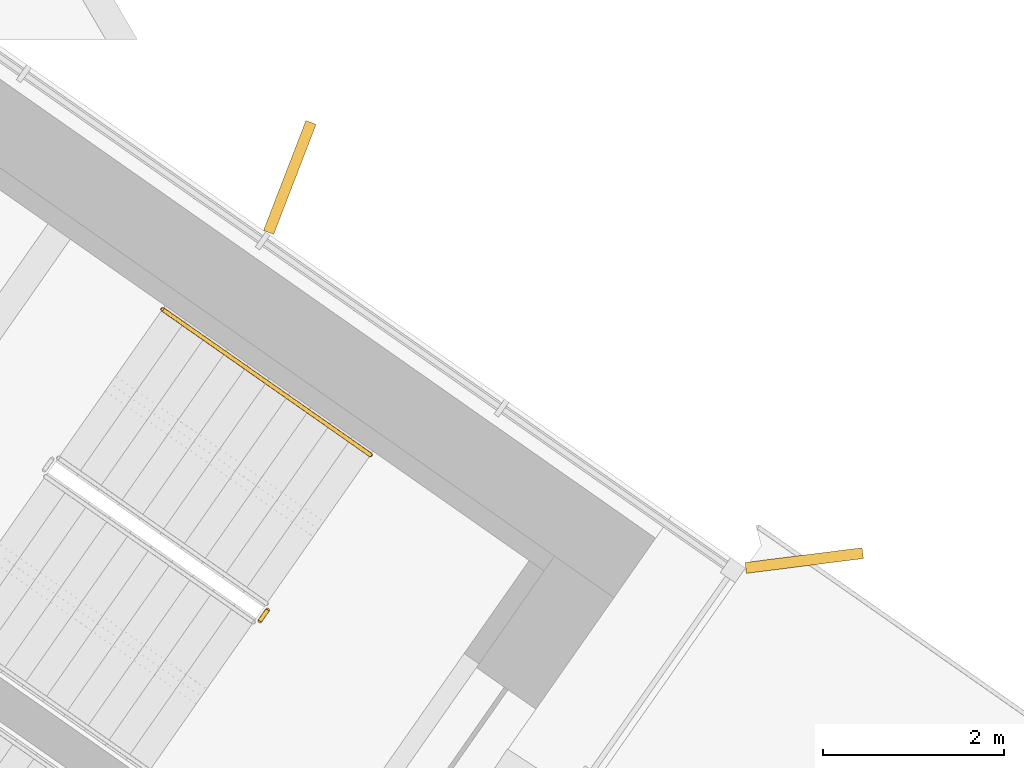
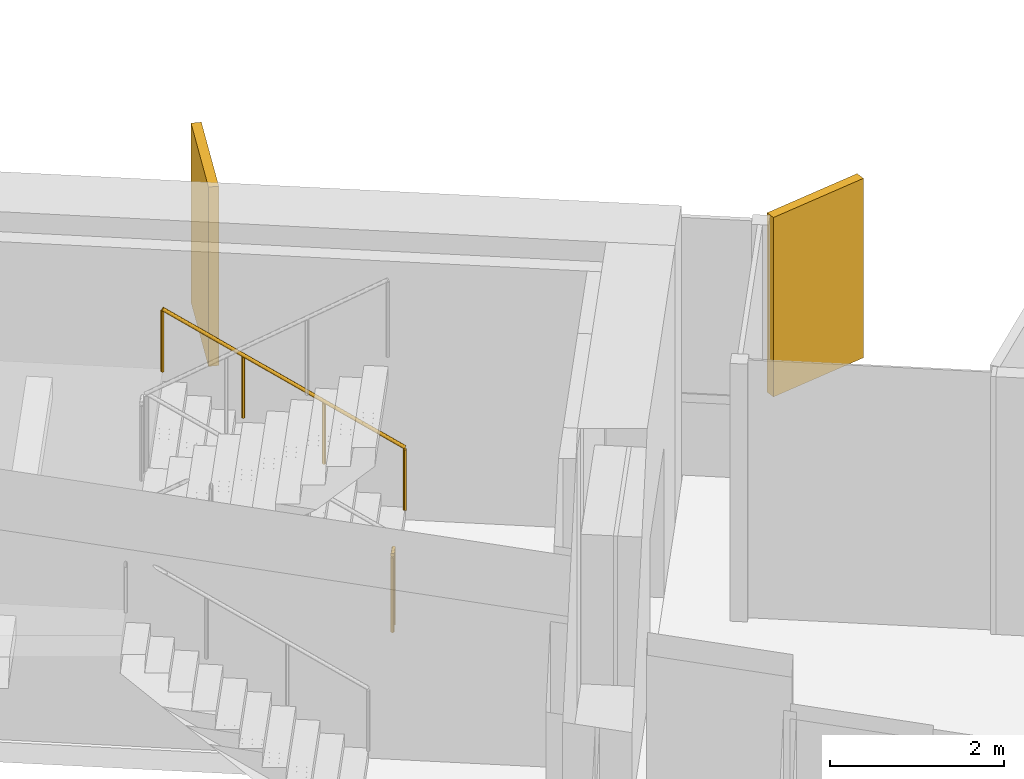
# One storey, part 23 of 24: 2 railings, 2 shading devices.
"""IFC4 building model written with IfcOpenShell, lengths in metres."""

from ifc_helpers import new_model, si_unit, direction, frame, origin, origin_2d, place, context, subcontext, project, spatial, rectangle, circle, extrude, material, layer, layer_set, type_object, element, save


model = new_model("IFC4")

# Units and contexts
model_context = context("Model", 3, precision=1e-05, world=origin(), true_north=direction((0.0, 1.0)))
body_context = subcontext(model_context, "Body", "Model", "MODEL_VIEW")
ifc_project = project(units=[si_unit("LENGTHUNIT", "METRE"), si_unit("AREAUNIT", "SQUARE_METRE"), si_unit("VOLUMEUNIT", "CUBIC_METRE"), si_unit("PLANEANGLEUNIT", "RADIAN"), si_unit("MASSUNIT", "GRAM", prefix="KILO")], contexts=[model_context])

# Site, building, storey
site_placement = place(None, origin())
site = spatial("IfcSite", under=ifc_project, at=site_placement, CompositionType="ELEMENT")
building_placement = place(site_placement, origin())
building = spatial("IfcBuilding", under=site, at=building_placement, Name="Tel Ilan Convention Tower", CompositionType="ELEMENT")
storey_placement = place(building_placement, frame((0.0, 0.0, 132.0)))
storey = spatial("IfcBuildingStorey", under=building, at=storey_placement, Name="L29", CompositionType="ELEMENT", Elevation=132.0)

# Shading devices
ifc_material_1 = material(Name="Aluminium, bronze anodised", Category="aluminium")
ifc_layer = layer(ifc_material_1, 0.1201171875)
ifc_layer_set = layer_set([ifc_layer], Name="FIN BRONZE 1300x120")
shading_device_type = type_object("IfcShadingDeviceType", Name="FIN BRONZE 1300x120", PredefinedType="USERDEFINED", material=ifc_layer_set)
for number, where, z_axis, x_axis, name in (
    (1, (29.60595703125, -7.376953125, 1.10009765625), (0.0, 0.0, 1.0), (0.992066016082, 0.125718016748, 0.0), "FIN"),
    (2, (23.935546875, -3.154541015625, 1.10009765625), (0.0, 0.0, 1.0), (0.360177724803, 0.932883704733, 0.0), "FIN"),
):
    element("IfcShadingDevice", number, at=place(storey_placement, frame(where, z_axis=z_axis, x_axis=x_axis)), inside=storey, type_object=shading_device_type, Name=name, ObjectType="FIN", PredefinedType="USERDEFINED", context=body_context, shape_type="SweptSolid", body=[
        extrude(rectangle(XDim=1.300048828125, YDim=0.1201171875, at=origin_2d()), origin(), (0.0, 0.0, 1.0), 2.52001953125),
    ])

# Railings
ifc_material_2 = material(Name="Stainless Steel Grade 316", Category="steel")
railing_type_1 = type_object("IfcRailingType", Name="Stainless Steel Stair Guard 1100 mm", PredefinedType="GUARDRAIL", material=ifc_material_2)
railing_1_placement = place(storey_placement, frame((23.691162109375, -7.921142578125, 0.0)))
element("IfcRailing", 3, at=railing_1_placement, inside=storey, type_object=railing_type_1, Name="L29 S3 stair guard 4", PredefinedType="GUARDRAIL", context=body_context, shape_type="SweptSolid", body=[
    extrude(circle(Radius=0.02392578125, at=origin_2d()), frame((0.0, 0.0, 1.076171875), z_axis=(-0.574444878118, -0.818543268254, 0.0), x_axis=(0.818543268254, -0.574444878118, 0.0)), (0.0, 0.0, 1.0), 0.150146484375),
    extrude(circle(Radius=0.02099609375, at=origin_2d()), origin(), (0.0, 0.0, 1.0), 1.052001953125),
    extrude(circle(Radius=0.02099609375, at=origin_2d()), frame((-0.086181640625, -0.122802734375, 0.0)), (0.0, 0.0, 1.0), 1.052001953125),
])
ifc_material_3 = material(Name="Stainless Steel Grade 316", Category="steel")
railing_type_2 = type_object("IfcRailingType", Name="Stainless Steel Stair Handrail 900 mm", PredefinedType="HANDRAIL", material=ifc_material_3)
railing_2_placement = place(storey_placement, frame((24.825927734375, -6.213134765625, 0.17724609375)))
element("IfcRailing", 4, at=railing_2_placement, inside=storey, type_object=railing_type_2, Name="L29 S3 stair handrail 1", PredefinedType="HANDRAIL", context=body_context, shape_type="SweptSolid", body=[
    extrude(circle(Radius=0.02392578125, at=origin_2d()), frame((0.0, 0.0, 0.8759765625), z_axis=(-0.692123088272, 0.484596665743, 0.534912798717), x_axis=(-0.573550118428, -0.819170471667, 0.0)), (0.0, 0.0, 1.0), 3.31396484375),
    extrude(circle(Radius=0.02099609375, at=origin_2d()), origin(), (0.0, 0.0, 1.0), 0.851806640625),
    extrude(circle(Radius=0.02099609375, at=origin_2d()), frame((-0.7646484375, 0.535400390625, 0.5908203125)), (0.0, 0.0, 1.0), 0.851806640625),
    extrude(circle(Radius=0.02099609375, at=origin_2d()), frame((-1.529052734375, 1.070556640625, 1.181884765625)), (0.0, 0.0, 1.0), 0.851806640625),
    extrude(circle(Radius=0.02099609375, at=origin_2d()), frame((-2.293701171875, 1.60595703125, 1.772705078125)), (0.0, 0.0, 1.0), 0.851806640625),
])

save(model, "model.ifc")
